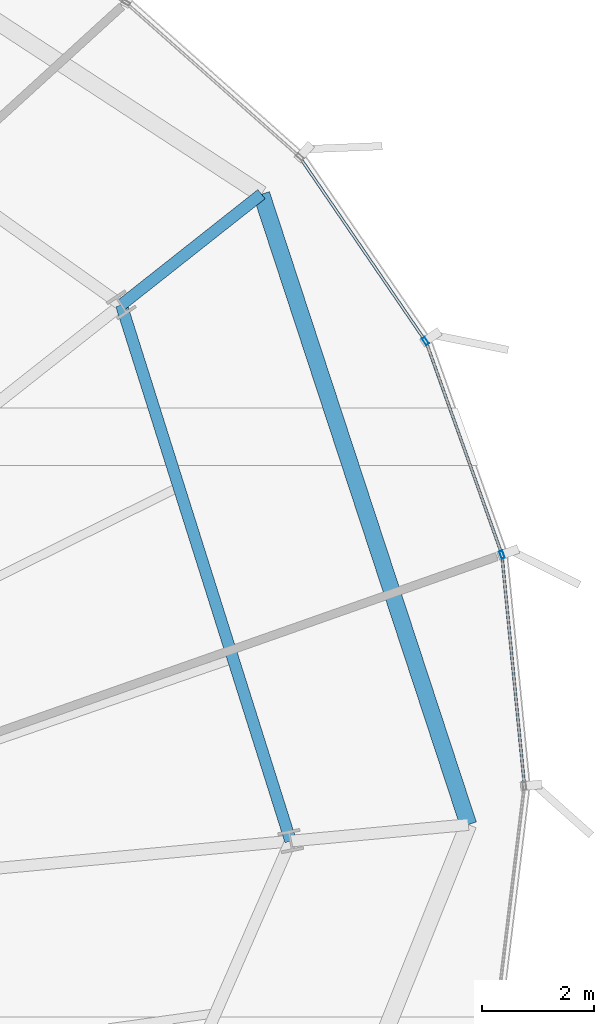
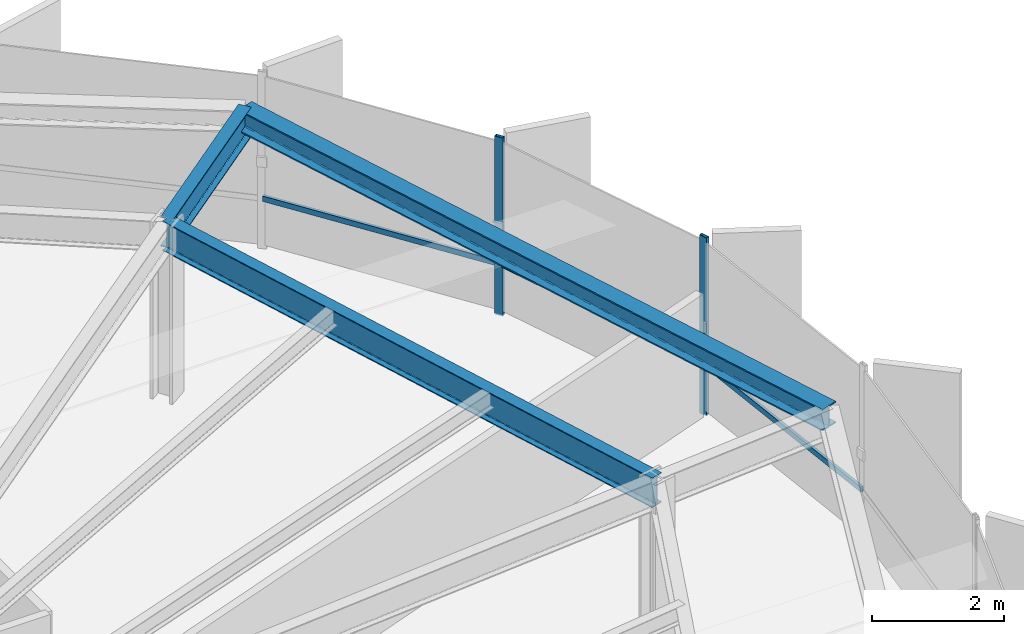
# One storey, part 25 of 36: 5 members, 3 beams, 2 elements without a shape of their own.
"""IFC4 building model written with IfcOpenShell, lengths in metres."""

import ifcopenshell
import ifcopenshell.guid

model = None  # the IFC model being written
_history = None  # IfcOwnerHistory: only IFC2X3 demands one
_inside = {}  # id of a spatial element -> (the spatial element, [elements in it])
_under = {}  # id of a project, library or spatial element -> (it, [spatial elements below it])
_declared = {}  # id of a project -> (the project, [libraries it declares])
_typed = {}  # id of a type object -> (the type object, [elements of that type])
_made_of = {}  # id of a material, layer set ... -> (it, [elements and type objects made of it])


def new_model(schema):
    """Start an empty IFC model of exactly this schema.

    Asked for "IFC4X3", IfcOpenShell would pick the latest addendum, in which some entities
    have other attributes; the version numbers below select the first issue.
    IFC2X3 requires an IfcOwnerHistory on every rooted entity: one is made here for all.
    """
    global model, _history
    if schema == "IFC4X3":
        model = ifcopenshell.file(schema_version=(4, 3, 0, 0))
    else:
        model = ifcopenshell.file(schema=schema)
    _inside.clear()
    _under.clear()
    _declared.clear()
    _typed.clear()
    _made_of.clear()
    _history = None
    if model.schema == "IFC2X3":
        org = make("IfcOrganization", Name="unknown")
        user = make(
            "IfcPersonAndOrganization",
            ThePerson=make("IfcPerson", FamilyName="unknown"),
            TheOrganization=org,
        )
        app = make(
            "IfcApplication",
            ApplicationDeveloper=org,
            Version="unknown",
            ApplicationFullName="unknown",
            ApplicationIdentifier="unknown",
        )
        _history = make(
            "IfcOwnerHistory",
            OwningUser=user,
            OwningApplication=app,
            ChangeAction="ADDED",
            CreationDate=0,
        )
    return model


def make(cls, **values):
    """One entity of the class cls with the attributes given. An attribute that is None is left unset."""
    return model.create_entity(
        cls, **{name: value for name, value in values.items() if value is not None}
    )


def rooted(cls, **values):
    """An entity with a GlobalId (a new one), such as an element, a storey or a relation."""
    return make(cls, GlobalId=ifcopenshell.guid.new(), OwnerHistory=_history, **values)


def si_unit(unit_type, name, prefix=None):
    """IfcSIUnit, for example si_unit("LENGTHUNIT", "METRE", prefix="MILLI")."""
    return make("IfcSIUnit", UnitType=unit_type, Prefix=prefix, Name=name)


def assignment(units):
    """IfcUnitAssignment: the units of a project."""
    return None if units is None else make("IfcUnitAssignment", Units=units)


def point(xyz):
    """IfcCartesianPoint."""
    return None if xyz is None else make("IfcCartesianPoint", Coordinates=xyz)


def direction(xyz):
    """IfcDirection."""
    return None if xyz is None else make("IfcDirection", DirectionRatios=xyz)


def frame(location, z_axis=None, x_axis=None):
    """IfcAxis2Placement3D, a coordinate frame: its origin and axes. An axis left out is left unset."""
    return make(
        "IfcAxis2Placement3D",
        Location=point(location),
        Axis=direction(z_axis),
        RefDirection=direction(x_axis),
    )


def frame_2d(location, x_axis=None):
    """IfcAxis2Placement2D, a coordinate frame in the plane: its origin and x axis."""
    return make(
        "IfcAxis2Placement2D", Location=point(location), RefDirection=direction(x_axis)
    )


def origin():
    """The frame at (0, 0, 0) with its axes left unset."""
    return frame((0.0, 0.0, 0.0))


def origin_2d():
    """The frame at (0, 0) in the plane with its x axis left unset."""
    return frame_2d((0.0, 0.0))


def place(relative_to, where):
    """IfcLocalPlacement: puts the frame where relative to a parent placement (None: the world)."""
    return make(
        "IfcLocalPlacement", PlacementRelTo=relative_to, RelativePlacement=where
    )


def context(
    kind, dimensions, precision=None, world=None, true_north=None, identifier=None
):
    """IfcGeometricRepresentationContext, for example the 3D "Model" context."""
    return make(
        "IfcGeometricRepresentationContext",
        ContextIdentifier=identifier,
        ContextType=kind,
        CoordinateSpaceDimension=dimensions,
        Precision=precision,
        WorldCoordinateSystem=world,
        TrueNorth=true_north,
    )


def subcontext(parent, identifier, kind, view, scale=None):
    """IfcGeometricRepresentationSubContext, for example "Body" below "Model"."""
    return make(
        "IfcGeometricRepresentationSubContext",
        ContextIdentifier=identifier,
        ContextType=kind,
        ParentContext=parent,
        TargetScale=scale,
        TargetView=view,
    )


def project(units=None, contexts=None):
    """IfcProject with its units and contexts."""
    return rooted(
        "IfcProject",
        Name="project",
        RepresentationContexts=contexts,
        UnitsInContext=assignment(units),
    )


def spatial(cls, under=None, at=None, **own):
    """A site, building, storey or space (cls), placed at a placement, below another one or the project."""
    s = rooted(cls, ObjectPlacement=at, **own)
    if under is not None:
        _under.setdefault(under.id(), (under, []))[1].append(s)
    return s


def profile(cls, at=None, kind="AREA", **sizes):
    """A parametric profile (cls). Its sizes go by their IFC names, for example OverallWidth=200.0."""
    return make(cls, ProfileType=kind, Position=at, **sizes)


def hollow_rectangle(**sizes):
    """IfcRectangleHollowProfileDef."""
    return profile("IfcRectangleHollowProfileDef", **sizes)


def i_section(**sizes):
    """IfcIShapeProfileDef."""
    return profile("IfcIShapeProfileDef", **sizes)


def extrude(swept, where, along, depth):
    """IfcExtrudedAreaSolid: the profile swept, set in the frame where, extruded along a direction by depth."""
    return make(
        "IfcExtrudedAreaSolid",
        SweptArea=swept,
        Position=where,
        ExtrudedDirection=direction(along),
        Depth=depth,
    )


def shape(context_of_items, identifier, shape_type, items):
    """IfcShapeRepresentation: the items that make up one representation, for example the "Body"."""
    return make(
        "IfcShapeRepresentation",
        ContextOfItems=context_of_items,
        RepresentationIdentifier=identifier,
        RepresentationType=shape_type,
        Items=items,
    )


def source(mapping_origin, context_of_items, identifier, shape_type, items):
    """IfcRepresentationMap: a shape defined once, which mapped items show again and again."""
    return make(
        "IfcRepresentationMap",
        MappingOrigin=mapping_origin,
        MappedRepresentation=shape(context_of_items, identifier, shape_type, items),
    )


def transform(
    local_origin,
    x_axis=None,
    y_axis=None,
    z_axis=None,
    scale=None,
    scale2=None,
    scale3=None,
    uniform=True,
):
    """IfcCartesianTransformationOperator3D, or its non-uniform kind. x_axis, y_axis, z_axis: its Axis1, 2, 3."""
    if uniform:
        return make(
            "IfcCartesianTransformationOperator3D",
            Axis1=direction(x_axis),
            Axis2=direction(y_axis),
            LocalOrigin=point(local_origin),
            Scale=scale,
            Axis3=direction(z_axis),
        )
    return make(
        "IfcCartesianTransformationOperator3DnonUniform",
        Axis1=direction(x_axis),
        Axis2=direction(y_axis),
        LocalOrigin=point(local_origin),
        Scale=scale,
        Axis3=direction(z_axis),
        Scale2=scale2,
        Scale3=scale3,
    )


def mapped(mapping_source, mapping_target):
    """IfcMappedItem: shows the shape of a source again, moved by a transform."""
    return make(
        "IfcMappedItem", MappingSource=mapping_source, MappingTarget=mapping_target
    )


def material(Name=None, Category=None):
    """IfcMaterial."""
    return make("IfcMaterial", Name=Name, Category=Category)


def layer(
    of_material, thickness, ventilated=None, Name=None, Category=None, Priority=None
):
    """IfcMaterialLayer: one layer of a wall or slab, of a material (None: an air gap)."""
    return make(
        "IfcMaterialLayer",
        Material=of_material,
        LayerThickness=thickness,
        IsVentilated=ventilated,
        Name=Name,
        Category=Category,
        Priority=Priority,
    )


def layer_set(layers, Name=None):
    """IfcMaterialLayerSet."""
    return make("IfcMaterialLayerSet", MaterialLayers=layers, LayerSetName=Name)


def material_profile(
    of_material, cross_section, Name=None, Category=None, Priority=None
):
    """IfcMaterialProfile: a cross section and its material."""
    return make(
        "IfcMaterialProfile",
        Name=Name,
        Material=of_material,
        Profile=cross_section,
        Priority=Priority,
        Category=Category,
    )


def profile_set(profiles, Name=None, composite=None):
    """IfcMaterialProfileSet."""
    return make(
        "IfcMaterialProfileSet",
        Name=Name,
        MaterialProfiles=profiles,
        CompositeProfile=composite,
    )


def made_of(thing, what):
    """Note that an element or type object is made of a material, layer set ...; save() writes the relation."""
    if what is not None:
        _made_of.setdefault(what.id(), (what, []))[1].append(thing)
    return thing


def type_object(cls, material=None, **own):
    """A type object (cls), such as IfcWallType, which elements share."""
    return made_of(rooted(cls, **own), material)


def element(
    cls,
    number,
    at=None,
    inside=None,
    cuts=None,
    type_object=None,
    material=None,
    context=None,
    identifier="Body",
    shape_type=None,
    held_by="IfcProductDefinitionShape",
    body=None,
    shapes=None,
    **own,
):
    """One element of the class cls, such as IfcWall. Its Tag is "e" and its number.

    at: its placement. inside: the storey or other place that contains it. cuts: it is an
    opening in that element (IfcRelVoidsElement). A single representation is given by context,
    identifier, shape_type and body (its items); several are given by shapes. held_by: the class
    of the entity that holds the representations. save() writes the other relations.
    """
    e = rooted(cls, Tag="e%d" % number, ObjectPlacement=at, **own)
    if body is not None:
        shapes = [shape(context, identifier, shape_type, body)]
    if shapes is not None:
        e.Representation = make(held_by, Representations=shapes)
    if inside is not None:
        _inside.setdefault(inside.id(), (inside, []))[1].append(e)
    if cuts is not None:
        rooted(
            "IfcRelVoidsElement", RelatingBuildingElement=cuts, RelatedOpeningElement=e
        )
    if type_object is not None:
        _typed.setdefault(type_object.id(), (type_object, []))[1].append(e)
    return made_of(e, material)


def aggregate(whole, parts):
    """IfcRelAggregates: a whole, such as a stair, and the parts it consists of."""
    return rooted("IfcRelAggregates", RelatingObject=whole, RelatedObjects=parts)


def save(model, path):
    """Write the relations noted so far, then the file.

    IfcRelAggregates (storeys below a building ...), IfcRelContainedInSpatialStructure (elements
    in a storey), IfcRelDefinesByType, IfcRelAssociatesMaterial and IfcRelDeclares: one each for
    every whole, place, type object, material and project.
    """
    for whole, parts in _under.values():
        aggregate(whole, parts)
    for where, things in _inside.values():
        rooted(
            "IfcRelContainedInSpatialStructure",
            RelatedElements=things,
            RelatingStructure=where,
        )
    for kind, things in _typed.values():
        rooted("IfcRelDefinesByType", RelatedObjects=things, RelatingType=kind)
    for what, things in _made_of.values():
        rooted("IfcRelAssociatesMaterial", RelatedObjects=things, RelatingMaterial=what)
    for by, libraries in _declared.values():
        rooted("IfcRelDeclares", RelatingContext=by, RelatedDefinitions=libraries)
    model.write(path)


model = new_model("IFC4")

# Units and contexts
model_context = context("Model", 3, precision=1e-05, world=origin(), true_north=direction((0.0, 1.0)))
body_context = subcontext(model_context, "Body", "Model", "MODEL_VIEW")
ifc_project = project(units=[si_unit("LENGTHUNIT", "METRE"), si_unit("AREAUNIT", "SQUARE_METRE"), si_unit("VOLUMEUNIT", "CUBIC_METRE"), si_unit("PLANEANGLEUNIT", "RADIAN"), si_unit("MASSUNIT", "GRAM", prefix="KILO"), si_unit("THERMODYNAMICTEMPERATUREUNIT", "KELVIN")], contexts=[model_context])

# Site, building, storey
site_placement = place(None, origin())
site = spatial("IfcSite", under=ifc_project, at=site_placement, CompositionType="ELEMENT")
building_placement = place(site_placement, origin())
building = spatial("IfcBuilding", under=site, at=building_placement, Name="Kethvar Cultural Tower", CompositionType="ELEMENT")
storey_placement = place(building_placement, frame((0.0, 0.0, 143.0)))
storey = spatial("IfcBuildingStorey", under=building, at=storey_placement, Name="L36", CompositionType="ELEMENT", Elevation=143.0)

# Beams
ifc_material_1 = material(Name="Steel S355J2", Category="steel")
ifc_material_profile_1 = material_profile(ifc_material_1, i_section(OverallWidth=0.2099609375, OverallDepth=0.550048828125, WebThickness=0.010986328125, FlangeThickness=0.01708984375, FilletRadius=0.02392578125, at=origin_2d()), Name="Steel S355J2 — IPE550")
ifc_profile_set_1 = profile_set([ifc_material_profile_1], Name="Steel S355J2 — IPE550")
beam_type_1 = type_object("IfcBeamType", Name="BM-IPE550", PredefinedType="BEAM", material=ifc_profile_set_1)
shared_shape_1 = source(origin(), body_context, "Body", "SweptSolid", [
    extrude(i_section(OverallWidth=0.2099609375, OverallDepth=0.550048828125, WebThickness=0.010986328125, FlangeThickness=0.01708984375, FilletRadius=0.02392578125, at=origin_2d()), origin(), (0.0, 0.0, 1.0), 3.2001953125),
])
beam_1_placement = place(storey_placement, frame((68.568603515625, 42.34521484375, 3.02294921875), z_axis=(0.784650322996, 0.619938602301, 0.0), x_axis=(-0.619938602301, 0.784650322996, 0.0)))
element("IfcBeam", 1, at=beam_1_placement, inside=storey, type_object=beam_type_1, Name="L36 Perimeter Cantilever Beam RC-02", PredefinedType="BEAM", context=body_context, shape_type="MappedRepresentation", body=[
    mapped(shared_shape_1, transform((0.0, 0.0, 0.0), scale=1.0)),
])
shared_shape_2 = source(origin(), body_context, "Body", "SweptSolid", [
    extrude(i_section(OverallWidth=0.2099609375, OverallDepth=0.550048828125, WebThickness=0.010986328125, FlangeThickness=0.01708984375, FilletRadius=0.02392578125, at=origin_2d()), origin(), (0.0, 0.0, 1.0), 10.079345703125),
])
beam_2_placement = place(storey_placement, frame((71.6025390625, 32.7333984375, 3.02294921875), z_axis=(-0.301007326566, 0.953621827222, 0.0), x_axis=(-0.953621827222, -0.301007326566, 0.0)))
element("IfcBeam", 2, at=beam_2_placement, inside=storey, type_object=beam_type_1, Name="L36 Column Ring Tie Beam CR-01", PredefinedType="BEAM", context=body_context, shape_type="MappedRepresentation", body=[
    mapped(shared_shape_2, transform((0.0, 0.0, 0.0), scale=1.0)),
])
ifc_material_profile_2 = material_profile(ifc_material_1, i_section(OverallWidth=0.300048828125, OverallDepth=0.39990234375, WebThickness=0.013427734375, FlangeThickness=0.02392578125, FilletRadius=0.027099609375, at=origin_2d()), Name="Steel S355J2 — HEB400")
ifc_profile_set_2 = profile_set([ifc_material_profile_2], Name="Steel S355J2 — HEB400")
beam_type_2 = type_object("IfcBeamType", Name="BM-SP400", PredefinedType="SPANDREL", material=ifc_profile_set_2)
shared_shape_3 = source(origin(), body_context, "Body", "SweptSolid", [
    extrude(i_section(OverallWidth=0.300048828125, OverallDepth=0.39990234375, WebThickness=0.013427734375, FlangeThickness=0.02392578125, FilletRadius=0.027099609375, at=origin_2d()), origin(), (0.0, 0.0, 1.0), 11.8935546875),
])
beam_3_placement = place(storey_placement, frame((74.788818359375, 33.02880859375, 3.097900390625), z_axis=(-0.311870604739, 0.95012458441, 0.0), x_axis=(-0.95012458441, -0.311870604739, 0.0)))
element("IfcBeam", 3, at=beam_3_placement, inside=storey, type_object=beam_type_2, Name="L36 Perimeter Spandrel Beam SP-01", PredefinedType="SPANDREL", context=body_context, shape_type="MappedRepresentation", body=[
    mapped(shared_shape_3, transform((0.0, 0.0, 0.0), scale=1.0)),
])

# Curtain wall, member
ifc_material_2 = material(Name="Aluminium 6063-T6", Category="aluminium")
ifc_layer = layer(ifc_material_2, 0.179931640625, Name="Aluminium 6063-T6", Category="aluminium")
ifc_layer_set = layer_set([ifc_layer], Name="Aluminium 6063-T6 (180 mm)")
curtain_wall_type = type_object("IfcCurtainWallType", Name="CW-SYS-04-Z34", PredefinedType="NOTDEFINED", material=ifc_layer_set)
curtain_wall_1_placement = place(storey_placement, origin())
curtain_wall_1 = element("IfcCurtainWall", 4, at=curtain_wall_1_placement, inside=storey, type_object=curtain_wall_type, Name="L36 Curtain Wall Run 01", PredefinedType="NOTDEFINED")
ifc_material_profile_3 = material_profile(ifc_material_2, hollow_rectangle(XDim=0.06005859375, YDim=0.139892578125, WallThickness=0.0048828125, at=origin_2d()), Name="Aluminium 6063-T6 — RHS140x60x5")
ifc_profile_set_3 = profile_set([ifc_material_profile_3], Name="Aluminium 6063-T6 — RHS140x60x5")
member_type_1 = type_object("IfcMemberType", Name="CW-SYS-04-Z34-MUL", PredefinedType="MULLION", material=ifc_profile_set_3)
shared_shape_4 = source(origin(), body_context, "Body", "SweptSolid", [
    extrude(hollow_rectangle(XDim=0.06005859375, YDim=0.139892578125, WallThickness=0.0048828125, at=origin_2d()), origin(), (0.0, 0.0, 1.0), 3.300048828125),
])
member_1_placement = place(storey_placement, frame((74.018798828125, 41.6962890625, 0.0), z_axis=(0.0, 0.0, 1.0), x_axis=(-0.825547118447, -0.564333195217, 0.0)))
member_1 = element("IfcMember", 5, at=member_1_placement, type_object=member_type_1, Name="CW-L36-R01 Mullion 1", PredefinedType="MULLION", context=body_context, shape_type="MappedRepresentation", body=[
    mapped(shared_shape_4, transform((0.0, 0.0, 0.0), scale=1.0)),
])

# Curtain wall, members
curtain_wall_2_placement = place(storey_placement, origin())
curtain_wall_2 = element("IfcCurtainWall", 6, at=curtain_wall_2_placement, inside=storey, type_object=curtain_wall_type, Name="L36 Curtain Wall Run 07", PredefinedType="NOTDEFINED")
member_2_placement = place(storey_placement, frame((75.392333984375, 37.866943359375, 0.0), z_axis=(0.0, 0.0, 1.0), x_axis=(-0.941799566716, -0.336174918954, 0.0)))
member_2 = element("IfcMember", 7, at=member_2_placement, type_object=member_type_1, Name="CW-L36-R07 Mullion 3", PredefinedType="MULLION", context=body_context, shape_type="MappedRepresentation", body=[
    mapped(shared_shape_4, transform((0.0, 0.0, 0.0), scale=1.0)),
])
ifc_material_profile_4 = material_profile(ifc_material_2, hollow_rectangle(XDim=0.050048828125, YDim=0.10009765625, WallThickness=0.00390625, at=origin_2d()), Name="Aluminium 6063-T6 — RHS100x50x4")
ifc_profile_set_4 = profile_set([ifc_material_profile_4], Name="Aluminium 6063-T6 — RHS100x50x4")
member_type_2 = type_object("IfcMemberType", Name="CW-SYS-04-Z34-TRN", PredefinedType="USERDEFINED", material=ifc_profile_set_4)
shared_shape_5 = source(origin(), body_context, "Body", "SweptSolid", [
    extrude(hollow_rectangle(XDim=0.050048828125, YDim=0.10009765625, WallThickness=0.00390625, at=origin_2d()), origin(), (0.0, 0.0, 1.0), 3.971923828125),
])
member_3_placement = place(storey_placement, frame((75.3779296875, 37.90771484375, 0.949951171875), z_axis=(-0.336219581003, 0.941783623424, 0.0), x_axis=(-0.941783623424, -0.336219581003, 0.0)))
member_3 = element("IfcMember", 8, at=member_3_placement, type_object=member_type_2, Name="CW-L36-R07 Transom 3", ObjectType="TRANSOM", PredefinedType="USERDEFINED", context=body_context, shape_type="MappedRepresentation", body=[
    mapped(shared_shape_5, transform((0.0, 0.0, 0.0), scale=1.0)),
])

# Member
shared_shape_6 = source(origin(), body_context, "Body", "SweptSolid", [
    extrude(hollow_rectangle(XDim=0.050048828125, YDim=0.10009765625, WallThickness=0.00390625, at=origin_2d()), origin(), (0.0, 0.0, 1.0), 3.97216796875),
])
member_4_placement = place(storey_placement, frame((74.0166015625, 41.69970703125, 0.949951171875), z_axis=(-0.564335740458, 0.825545378548, 0.0), x_axis=(-0.825545378548, -0.564335740458, 0.0)))
member_4 = element("IfcMember", 9, at=member_4_placement, type_object=member_type_2, Name="CW-L36-R01 Transom 1", ObjectType="TRANSOM", PredefinedType="USERDEFINED", context=body_context, shape_type="MappedRepresentation", body=[
    mapped(shared_shape_6, transform((0.0, 0.0, 0.0), scale=1.0)),
])

aggregate(curtain_wall_1, [member_1, member_4])

shared_shape_7 = source(origin(), body_context, "Body", "SweptSolid", [
    extrude(hollow_rectangle(XDim=0.050048828125, YDim=0.10009765625, WallThickness=0.00390625, at=origin_2d()), origin(), (0.0, 0.0, 1.0), 4.10595703125),
])
member_5_placement = place(storey_placement, frame((75.789794921875, 33.763916015625, 0.949951171875), z_axis=(-0.097219201511, 0.995262993815, 0.0), x_axis=(-0.995262993815, -0.097219201511, 0.0)))
member_5 = element("IfcMember", 10, at=member_5_placement, type_object=member_type_2, Name="CW-L36-R07 Transom 2", ObjectType="TRANSOM", PredefinedType="USERDEFINED", context=body_context, shape_type="MappedRepresentation", body=[
    mapped(shared_shape_7, transform((0.0, 0.0, 0.0), scale=1.0)),
])

aggregate(curtain_wall_2, [member_2, member_5, member_3])

save(model, "model.ifc")
